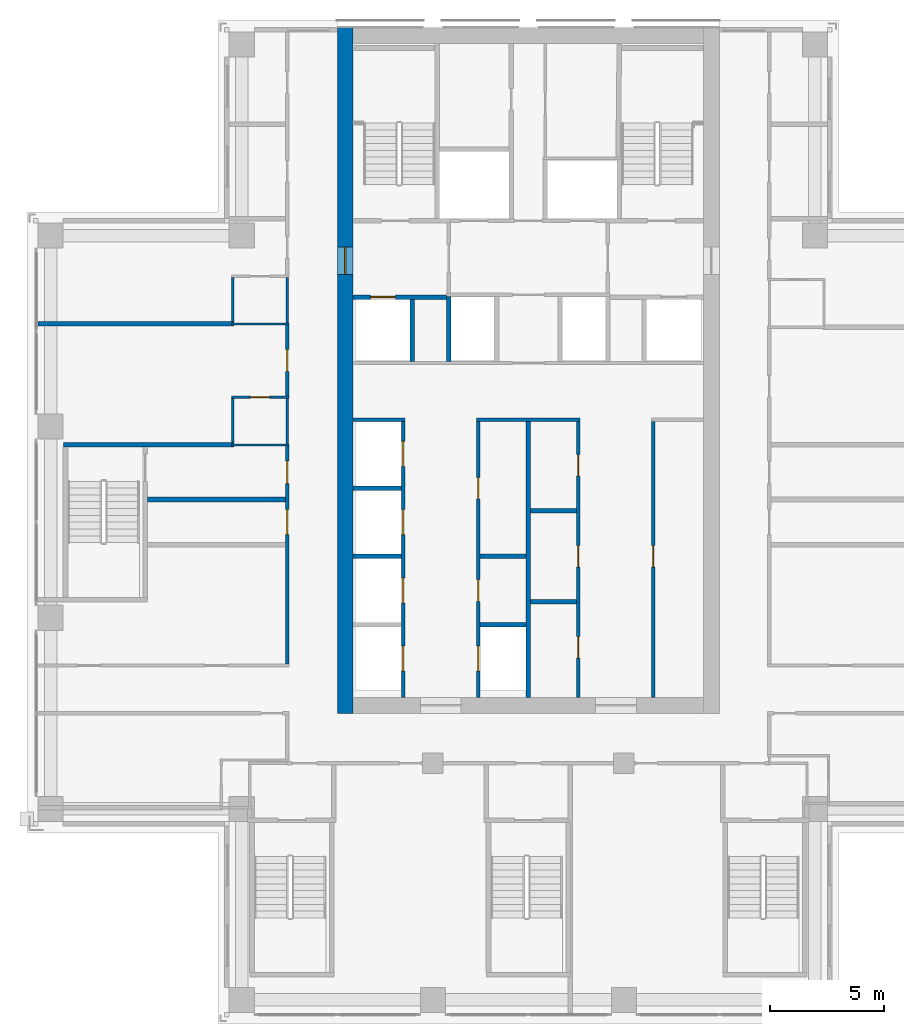
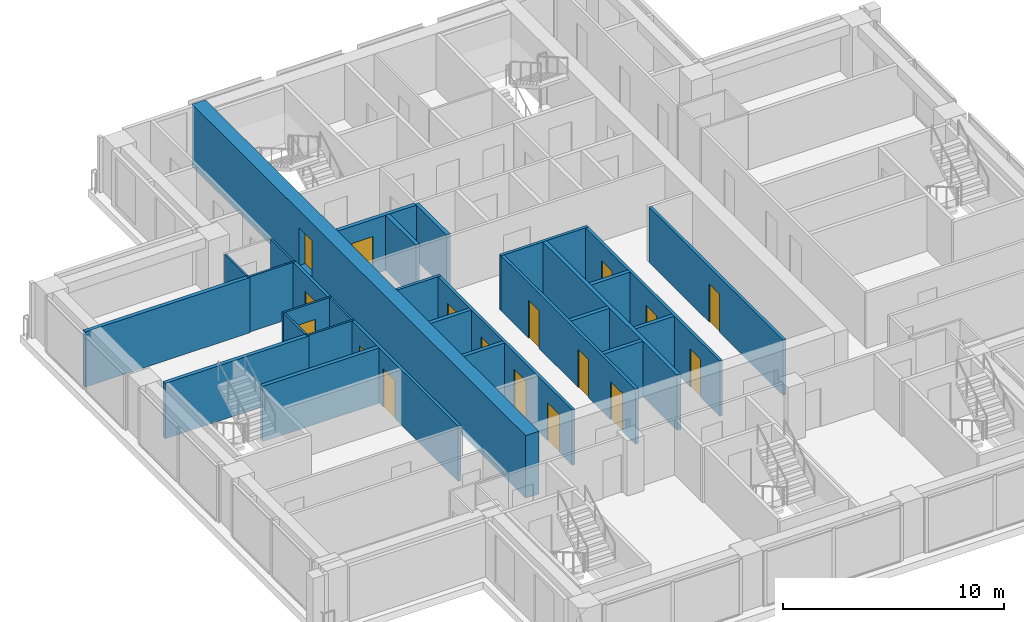
# One storey, part 10 of 16: 29 walls, 17 doors, 17 openings.
"""IFC4 building model written with IfcOpenShell, lengths in metres."""

from ifc_helpers import new_model, si_unit, direction, frame, frame_2d, origin, place, context, subcontext, project, spatial, rectangle, extrude, material, layer, layer_set, type_object, element, fill, save


model = new_model("IFC4")

# Units and contexts
model_context = context("Model", 3, precision=1e-05, world=origin(), true_north=direction((0.0, 1.0)))
body_context = subcontext(model_context, "Body", "Model", "MODEL_VIEW")
ifc_project = project(units=[si_unit("LENGTHUNIT", "METRE"), si_unit("AREAUNIT", "SQUARE_METRE"), si_unit("VOLUMEUNIT", "CUBIC_METRE"), si_unit("PLANEANGLEUNIT", "RADIAN"), si_unit("MASSUNIT", "GRAM", prefix="KILO")], contexts=[model_context])

# Site, building, storey
site_placement = place(None, origin())
site = spatial("IfcSite", under=ifc_project, at=site_placement, CompositionType="ELEMENT")
building_placement = place(site_placement, origin())
building = spatial("IfcBuilding", under=site, at=building_placement, Name="Vermilion Ogive Tower", CompositionType="ELEMENT")
storey_placement = place(building_placement, frame((0.0, 0.0, 160.699951171875)))
storey = spatial("IfcBuildingStorey", under=building, at=storey_placement, Name="L41", CompositionType="ELEMENT", Elevation=160.699951171875)

# Wall
ifc_material_1 = material(Name="Gypsum board partition on steel studs", Category="steel")
ifc_layer_1 = layer(ifc_material_1, 0.10009765625)
ifc_layer_set_1 = layer_set([ifc_layer_1], Name="Partition 100 bath")
wall_type_1 = type_object("IfcWallType", Name="Partition 100 bath", PredefinedType="PARTITIONING", material=ifc_layer_set_1)
wall_1_placement = place(storey_placement, frame((-13.050048828125, 3.39990234375, 0.0), z_axis=(0.0, 0.0, 1.0), x_axis=(1.0, 0.0, 0.0)))
element("IfcWall", 1, at=wall_1_placement, inside=storey, type_object=wall_type_1, Name="L41-W-W027", PredefinedType="PARTITIONING", context=body_context, shape_type="SweptSolid", body=[
    extrude(rectangle(XDim=2.525146484375, YDim=0.10009765625, at=frame_2d((1.2626953125, 0.0))), origin(), (0.0, 0.0, 1.0), 3.050048828125),
])

# Wall, opening, door
wall_2_placement = place(storey_placement, frame((-13.048095703125, 5.5, 0.0), z_axis=(0.0, 0.0, 1.0), x_axis=(1.0, 0.0, 0.0)))
wall_2 = element("IfcWall", 2, at=wall_2_placement, inside=storey, type_object=wall_type_1, Name="L41-W-W029", PredefinedType="PARTITIONING", context=body_context, shape_type="SweptSolid", body=[
    extrude(rectangle(XDim=2.523193359375, YDim=0.10009765625, at=frame_2d((1.26171875, 0.0))), origin(), (0.0, 0.0, 1.0), 3.050048828125),
])
opening_1_placement = place(wall_2_placement, frame((0.822998046875, 0.0, 0.0)))
opening_1 = element("IfcOpeningElement", 3, at=opening_1_placement, cuts=wall_2, Name="Opening D3G4004", PredefinedType="OPENING", context=body_context, shape_type="SweptSolid", body=[
    extrude(rectangle(XDim=0.85009765625, YDim=2.10009765625, at=frame_2d((0.425048828125, 1.050048828125))), frame((0.0, 0.06005859375, 0.0), z_axis=(0.0, -1.0, 0.0), x_axis=(1.0, 0.0, 0.0)), (0.0, 0.0, 1.0), 0.1201171875),
])
ifc_material_2 = material(Name="Timber door leaf", Category="wood")
door_type_1 = type_object("IfcDoorType", Name="Bath door 850 x 2100 FD30", OperationType="SINGLE_SWING_LEFT", PredefinedType="DOOR", material=ifc_material_2)
door_1_placement = place(opening_1_placement, origin())
door_1 = element("IfcDoor", 4, at=door_1_placement, inside=storey, type_object=door_type_1, Name="L41-D-D004", OperationType="SINGLE_SWING_RIGHT", OverallHeight=2.10009765625, OverallWidth=0.85009765625, PredefinedType="DOOR", context=body_context, shape_type="SweptSolid", body=[
    extrude(rectangle(XDim=0.85009765625, YDim=2.10009765625, at=frame_2d((0.425048828125, 1.050048828125))), frame((0.0, 0.02490234375, 0.0), z_axis=(0.0, -1.0, 0.0), x_axis=(1.0, 0.0, 0.0)), (0.0, 0.0, 1.0), 0.050048828125),
])
fill(opening_1, door_1)

# Walls
wall_3_placement = place(storey_placement, frame((-13.050048828125, 8.719970703125, 0.0), z_axis=(0.0, 0.0, 1.0), x_axis=(1.0, 0.0, 0.0)))
element("IfcWall", 5, at=wall_3_placement, inside=storey, type_object=wall_type_1, Name="L41-W-W033", PredefinedType="PARTITIONING", context=body_context, shape_type="SweptSolid", body=[
    extrude(rectangle(XDim=2.525146484375, YDim=0.10009765625, at=frame_2d((1.2626953125, 0.0))), origin(), (0.0, 0.0, 1.0), 3.050048828125),
])
wall_4_placement = place(storey_placement, frame((-13.0, 3.5, 0.0), z_axis=(0.0, 0.0, 1.0), x_axis=(0.0, 1.0, 0.0)))
element("IfcWall", 6, at=wall_4_placement, inside=storey, type_object=wall_type_1, Name="L41-W-W043", PredefinedType="PARTITIONING", context=body_context, shape_type="SweptSolid", body=[
    extrude(rectangle(XDim=1.947998046875, YDim=0.10009765625, at=frame_2d((0.97412109375, 0.0))), origin(), (0.0, 0.0, 1.0), 3.050048828125),
])
wall_5_placement = place(storey_placement, frame((-13.0, 8.820068359375, 0.0), z_axis=(0.0, 0.0, 1.0), x_axis=(0.0, 1.0, 0.0)))
element("IfcWall", 7, at=wall_5_placement, inside=storey, type_object=wall_type_1, Name="L41-W-W044", PredefinedType="PARTITIONING", context=body_context, shape_type="SweptSolid", body=[
    extrude(rectangle(XDim=1.949951171875, YDim=0.10009765625, at=frame_2d((0.97509765625, 0.0))), origin(), (0.0, 0.0, 1.0), 3.050048828125),
])
for number, where, z_axis, x_axis, name in (
    (8, (-10.60009765625, 3.449951171875, 0.0), (0.0, 0.0, 1.0), (0.0, 1.0, 0.0), "L41-W-W050"),
    (9, (-10.60009765625, 8.77001953125, 0.0), (0.0, 0.0, 1.0), (0.0, 1.0, 0.0), "L41-W-W052"),
):
    element("IfcWall", number, at=place(storey_placement, frame(where, z_axis=z_axis, x_axis=x_axis)), inside=storey, type_object=wall_type_1, Name=name, PredefinedType="PARTITIONING", context=body_context, shape_type="SweptSolid", body=[
        extrude(rectangle(XDim=2.0, YDim=0.10009765625, at=frame_2d((1.0, 0.0))), origin(), (0.0, 0.0, 1.0), 3.050048828125),
    ])

# Wall, openings, doors
ifc_material_3 = material(Name="Gypsum board partition on steel studs", Category="steel")
ifc_layer_2 = layer(ifc_material_3, 0.14990234375)
ifc_layer_set_2 = layer_set([ifc_layer_2], Name="Partition 150 corridor")
wall_type_2 = type_object("IfcWallType", Name="Partition 150 corridor", PredefinedType="PARTITIONING", material=ifc_layer_set_2)
wall_6_placement = place(storey_placement, frame((-10.60009765625, -6.22509765625, 0.0), z_axis=(0.0, 0.0, 1.0), x_axis=(0.0, 1.0, 0.0)))
wall_6 = element("IfcWall", 10, at=wall_6_placement, inside=storey, type_object=wall_type_2, Name="L41-W-W049", PredefinedType="PARTITIONING", context=body_context, shape_type="SweptSolid", body=[
    extrude(rectangle(XDim=9.5751953125, YDim=0.14990234375, at=frame_2d((4.78759765625, 0.0))), origin(), (0.0, 0.0, 1.0), 3.050048828125),
])
opening_2_placement = place(wall_6_placement, frame((5.675048828125, 0.0, 0.0)))
opening_2 = element("IfcOpeningElement", 11, at=opening_2_placement, cuts=wall_6, Name="Opening D3G4026", PredefinedType="OPENING", context=body_context, shape_type="SweptSolid", body=[
    extrude(rectangle(XDim=1.10009765625, YDim=2.10009765625, at=frame_2d((0.550048828125, 1.050048828125))), frame((0.0, 0.0849609375, 0.0), z_axis=(0.0, -1.0, 0.0), x_axis=(1.0, 0.0, 0.0)), (0.0, 0.0, 1.0), 0.169921875),
])
opening_3_placement = place(wall_6_placement, frame((7.925048828125, 0.0, 0.0)))
opening_3 = element("IfcOpeningElement", 12, at=opening_3_placement, cuts=wall_6, Name="Opening D3G4032", PredefinedType="OPENING", context=body_context, shape_type="SweptSolid", body=[
    extrude(rectangle(XDim=1.0, YDim=2.10009765625, at=frame_2d((0.5, 1.050048828125))), frame((0.0, 0.0849609375, 0.0), z_axis=(0.0, -1.0, 0.0), x_axis=(1.0, 0.0, 0.0)), (0.0, 0.0, 1.0), 0.169921875),
])
ifc_material_4 = material(Name="Timber door leaf", Category="wood")
door_type_2 = type_object("IfcDoorType", Name="Stair door 1100 x 2100 FD60S", OperationType="SINGLE_SWING_LEFT", PredefinedType="DOOR", material=ifc_material_4)
door_2_placement = place(opening_2_placement, origin())
door_2 = element("IfcDoor", 13, at=door_2_placement, inside=storey, type_object=door_type_2, Name="L41-D-D026", OperationType="SINGLE_SWING_RIGHT", OverallHeight=2.10009765625, OverallWidth=1.10009765625, PredefinedType="DOOR", context=body_context, shape_type="SweptSolid", body=[
    extrude(rectangle(XDim=1.10009765625, YDim=2.10009765625, at=frame_2d((0.550048828125, 1.050048828125))), frame((0.0, 0.02490234375, 0.0), z_axis=(0.0, -1.0, 0.0), x_axis=(1.0, 0.0, 0.0)), (0.0, 0.0, 1.0), 0.050048828125),
])
fill(opening_2, door_2)
ifc_material_5 = material(Name="Timber door leaf", Category="wood")
door_type_3 = type_object("IfcDoorType", Name="Unit door 1000 x 2100 FD30S", OperationType="SINGLE_SWING_LEFT", PredefinedType="DOOR", material=ifc_material_5)
door_3_placement = place(opening_3_placement, origin())
door_3 = element("IfcDoor", 14, at=door_3_placement, inside=storey, type_object=door_type_3, Name="L41-D-D032", OperationType="SINGLE_SWING_LEFT", OverallHeight=2.10009765625, OverallWidth=1.0, PredefinedType="DOOR", context=body_context, shape_type="SweptSolid", body=[
    extrude(rectangle(XDim=1.0, YDim=2.10009765625, at=frame_2d((0.5, 1.050048828125))), frame((0.0, 0.02490234375, 0.0), z_axis=(0.0, -1.0, 0.0), x_axis=(1.0, 0.0, 0.0)), (0.0, 0.0, 1.0), 0.050048828125),
])
fill(opening_3, door_3)

# Wall, opening, door
wall_7_placement = place(storey_placement, frame((-10.60009765625, 5.550048828125, 0.0), z_axis=(0.0, 0.0, 1.0), x_axis=(0.0, 1.0, 0.0)))
wall_7 = element("IfcWall", 15, at=wall_7_placement, inside=storey, type_object=wall_type_2, Name="L41-W-W051", PredefinedType="PARTITIONING", context=body_context, shape_type="SweptSolid", body=[
    extrude(rectangle(XDim=3.119873046875, YDim=0.14990234375, at=frame_2d((1.56005859375, 0.0))), origin(), (0.0, 0.0, 1.0), 3.050048828125),
])
opening_4_placement = place(wall_7_placement, frame((1.0849609375, 0.0, 0.0)))
opening_4 = element("IfcOpeningElement", 16, at=opening_4_placement, cuts=wall_7, Name="Opening D3G4003", PredefinedType="OPENING", context=body_context, shape_type="SweptSolid", body=[
    extrude(rectangle(XDim=0.949951171875, YDim=2.10009765625, at=frame_2d((0.47509765625, 1.050048828125))), frame((0.0, 0.0849609375, 0.0), z_axis=(0.0, -1.0, 0.0), x_axis=(1.0, 0.0, 0.0)), (0.0, 0.0, 1.0), 0.169921875),
])
ifc_material_6 = material(Name="Timber door leaf", Category="wood")
door_type_4 = type_object("IfcDoorType", Name="Unit door 950 x 2100 FD30S", OperationType="SINGLE_SWING_LEFT", PredefinedType="DOOR", material=ifc_material_6)
door_4_placement = place(opening_4_placement, origin())
door_4 = element("IfcDoor", 17, at=door_4_placement, inside=storey, type_object=door_type_4, Name="L41-D-D003", OperationType="SINGLE_SWING_LEFT", OverallHeight=2.10009765625, OverallWidth=0.949951171875, PredefinedType="DOOR", context=body_context, shape_type="SweptSolid", body=[
    extrude(rectangle(XDim=0.949951171875, YDim=2.10009765625, at=frame_2d((0.47509765625, 1.050048828125))), frame((0.0, 0.02490234375, 0.0), z_axis=(0.0, -1.0, 0.0), x_axis=(1.0, 0.0, 0.0)), (0.0, 0.0, 1.0), 0.050048828125),
])
fill(opening_4, door_4)

# Walls
wall_8_placement = place(storey_placement, frame((-7.698974609375, 4.5, 0.0), z_axis=(0.0, 0.0, 1.0), x_axis=(1.0, 0.0, 0.0)))
element("IfcWall", 18, at=wall_8_placement, inside=storey, type_object=wall_type_2, Name="L41-CK-W-W008", PredefinedType="PARTITIONING", context=body_context, shape_type="SweptSolid", body=[
    extrude(rectangle(XDim=2.27392578125, YDim=0.14990234375, at=frame_2d((1.136962890625, 0.0))), origin(), (0.0, 0.0, 1.0), 3.050048828125),
])
wall_9_placement = place(storey_placement, frame((-2.27490234375, 4.5, 0.0), z_axis=(0.0, 0.0, 1.0), x_axis=(1.0, 0.0, 0.0)))
element("IfcWall", 19, at=wall_9_placement, inside=storey, type_object=wall_type_2, Name="L41-CK-W-W009", PredefinedType="PARTITIONING", context=body_context, shape_type="SweptSolid", body=[
    extrude(rectangle(XDim=4.5498046875, YDim=0.14990234375, at=frame_2d((2.27490234375, 0.0))), origin(), (0.0, 0.0, 1.0), 3.050048828125),
])

# Wall, openings, doors
wall_10_placement = place(storey_placement, frame((-5.5, -7.698974609375, 0.0), z_axis=(0.0, 0.0, 1.0), x_axis=(0.0, 1.0, 0.0)))
wall_10 = element("IfcWall", 20, at=wall_10_placement, inside=storey, type_object=wall_type_2, Name="L41-CK-W-W020", PredefinedType="PARTITIONING", context=body_context, shape_type="SweptSolid", body=[
    extrude(rectangle(XDim=12.1240234375, YDim=0.14990234375, at=frame_2d((6.06201171875, 0.0))), origin(), (0.0, 0.0, 1.0), 3.050048828125),
])
opening_5_placement = place(wall_10_placement, frame((1.14892578125, 0.0, 0.0)))
opening_5 = element("IfcOpeningElement", 21, at=opening_5_placement, cuts=wall_10, Name="Opening DAA362", PredefinedType="OPENING", context=body_context, shape_type="SweptSolid", body=[
    extrude(rectangle(XDim=1.10009765625, YDim=2.10009765625, at=frame_2d((0.550048828125, 1.050048828125))), frame((0.0, 0.0849609375, 0.0), z_axis=(0.0, -1.0, 0.0), x_axis=(1.0, 0.0, 0.0)), (0.0, 0.0, 1.0), 0.169921875),
])
opening_6_placement = place(wall_10_placement, frame((4.14892578125, 0.0, 0.0)))
opening_6 = element("IfcOpeningElement", 22, at=opening_6_placement, cuts=wall_10, Name="Opening DAA363", PredefinedType="OPENING", context=body_context, shape_type="SweptSolid", body=[
    extrude(rectangle(XDim=1.10009765625, YDim=2.10009765625, at=frame_2d((0.550048828125, 1.050048828125))), frame((0.0, 0.0849609375, 0.0), z_axis=(0.0, -1.0, 0.0), x_axis=(1.0, 0.0, 0.0)), (0.0, 0.0, 1.0), 0.169921875),
])
opening_7_placement = place(wall_10_placement, frame((7.14892578125, 0.0, 0.0)))
opening_7 = element("IfcOpeningElement", 23, at=opening_7_placement, cuts=wall_10, Name="Opening DAA364", PredefinedType="OPENING", context=body_context, shape_type="SweptSolid", body=[
    extrude(rectangle(XDim=1.10009765625, YDim=2.10009765625, at=frame_2d((0.550048828125, 1.050048828125))), frame((0.0, 0.0849609375, 0.0), z_axis=(0.0, -1.0, 0.0), x_axis=(1.0, 0.0, 0.0)), (0.0, 0.0, 1.0), 0.169921875),
])
opening_8_placement = place(wall_10_placement, frame((10.14892578125, 0.0, 0.0)))
opening_8 = element("IfcOpeningElement", 24, at=opening_8_placement, cuts=wall_10, Name="Opening DAA365", PredefinedType="OPENING", context=body_context, shape_type="SweptSolid", body=[
    extrude(rectangle(XDim=1.10009765625, YDim=2.10009765625, at=frame_2d((0.550048828125, 1.050048828125))), frame((0.0, 0.0849609375, 0.0), z_axis=(0.0, -1.0, 0.0), x_axis=(1.0, 0.0, 0.0)), (0.0, 0.0, 1.0), 0.169921875),
])
ifc_material_7 = material(Name="Stainless steel", Category="steel")
door_type_5 = type_object("IfcDoorType", Name="Lift landing door 1100 x 2100", OperationType="SLIDING_TO_LEFT", PredefinedType="DOOR", material=ifc_material_7)
door_5_placement = place(opening_5_placement, origin())
door_5 = element("IfcDoor", 25, at=door_5_placement, inside=storey, type_object=door_type_5, Name="L41-CK-D-D001", OperationType="SLIDING_TO_LEFT", OverallHeight=2.10009765625, OverallWidth=1.10009765625, PredefinedType="DOOR", context=body_context, shape_type="SweptSolid", body=[
    extrude(rectangle(XDim=1.10009765625, YDim=2.10009765625, at=frame_2d((0.550048828125, 1.050048828125))), frame((0.0, 0.02490234375, 0.0), z_axis=(0.0, -1.0, 0.0), x_axis=(1.0, 0.0, 0.0)), (0.0, 0.0, 1.0), 0.050048828125),
])
fill(opening_5, door_5)
door_6_placement = place(opening_6_placement, origin())
door_6 = element("IfcDoor", 26, at=door_6_placement, inside=storey, type_object=door_type_5, Name="L41-CK-D-D002", OperationType="SLIDING_TO_LEFT", OverallHeight=2.10009765625, OverallWidth=1.10009765625, PredefinedType="DOOR", context=body_context, shape_type="SweptSolid", body=[
    extrude(rectangle(XDim=1.10009765625, YDim=2.10009765625, at=frame_2d((0.550048828125, 1.050048828125))), frame((0.0, 0.02490234375, 0.0), z_axis=(0.0, -1.0, 0.0), x_axis=(1.0, 0.0, 0.0)), (0.0, 0.0, 1.0), 0.050048828125),
])
fill(opening_6, door_6)
door_7_placement = place(opening_7_placement, origin())
door_7 = element("IfcDoor", 27, at=door_7_placement, inside=storey, type_object=door_type_5, Name="L41-CK-D-D003", OperationType="SLIDING_TO_LEFT", OverallHeight=2.10009765625, OverallWidth=1.10009765625, PredefinedType="DOOR", context=body_context, shape_type="SweptSolid", body=[
    extrude(rectangle(XDim=1.10009765625, YDim=2.10009765625, at=frame_2d((0.550048828125, 1.050048828125))), frame((0.0, 0.02490234375, 0.0), z_axis=(0.0, -1.0, 0.0), x_axis=(1.0, 0.0, 0.0)), (0.0, 0.0, 1.0), 0.050048828125),
])
fill(opening_7, door_7)
door_8_placement = place(opening_8_placement, origin())
door_8 = element("IfcDoor", 28, at=door_8_placement, inside=storey, type_object=door_type_5, Name="L41-CK-D-D004", OperationType="SLIDING_TO_LEFT", OverallHeight=2.10009765625, OverallWidth=1.10009765625, PredefinedType="DOOR", context=body_context, shape_type="SweptSolid", body=[
    extrude(rectangle(XDim=1.10009765625, YDim=2.10009765625, at=frame_2d((0.550048828125, 1.050048828125))), frame((0.0, 0.02490234375, 0.0), z_axis=(0.0, -1.0, 0.0), x_axis=(1.0, 0.0, 0.0)), (0.0, 0.0, 1.0), 0.050048828125),
])
fill(opening_8, door_8)

wall_11_placement = place(storey_placement, frame((-2.199951171875, -7.698974609375, 0.0), z_axis=(0.0, 0.0, 1.0), x_axis=(0.0, 1.0, 0.0)))
wall_11 = element("IfcWall", 29, at=wall_11_placement, inside=storey, type_object=wall_type_2, Name="L41-CK-W-W025", PredefinedType="PARTITIONING", context=body_context, shape_type="SweptSolid", body=[
    extrude(rectangle(XDim=12.1240234375, YDim=0.14990234375, at=frame_2d((6.06201171875, 0.0))), origin(), (0.0, 0.0, 1.0), 3.050048828125),
])
opening_9_placement = place(wall_11_placement, frame((1.14892578125, 0.0, 0.0)))
opening_9 = element("IfcOpeningElement", 30, at=opening_9_placement, cuts=wall_11, Name="Opening DAA366", PredefinedType="OPENING", context=body_context, shape_type="SweptSolid", body=[
    extrude(rectangle(XDim=1.10009765625, YDim=2.10009765625, at=frame_2d((0.550048828125, 1.050048828125))), frame((0.0, 0.0849609375, 0.0), z_axis=(0.0, -1.0, 0.0), x_axis=(1.0, 0.0, 0.0)), (0.0, 0.0, 1.0), 0.169921875),
])
opening_10_placement = place(wall_11_placement, frame((4.223876953125, 0.0, 0.0)))
opening_10 = element("IfcOpeningElement", 31, at=opening_10_placement, cuts=wall_11, Name="Opening DAA352", PredefinedType="OPENING", context=body_context, shape_type="SweptSolid", body=[
    extrude(rectangle(XDim=0.949951171875, YDim=2.10009765625, at=frame_2d((0.47509765625, 1.050048828125))), frame((0.0, 0.0849609375, 0.0), z_axis=(0.0, -1.0, 0.0), x_axis=(1.0, 0.0, 0.0)), (0.0, 0.0, 1.0), 0.169921875),
])
opening_11_placement = place(wall_11_placement, frame((8.723876953125, 0.0, 0.0)))
opening_11 = element("IfcOpeningElement", 32, at=opening_11_placement, cuts=wall_11, Name="Opening DAA353", PredefinedType="OPENING", context=body_context, shape_type="SweptSolid", body=[
    extrude(rectangle(XDim=0.949951171875, YDim=2.10009765625, at=frame_2d((0.47509765625, 1.050048828125))), frame((0.0, 0.0849609375, 0.0), z_axis=(0.0, -1.0, 0.0), x_axis=(1.0, 0.0, 0.0)), (0.0, 0.0, 1.0), 0.169921875),
])
door_9_placement = place(opening_9_placement, origin())
door_9 = element("IfcDoor", 33, at=door_9_placement, inside=storey, type_object=door_type_5, Name="L41-CK-D-D005", OperationType="SLIDING_TO_LEFT", OverallHeight=2.10009765625, OverallWidth=1.10009765625, PredefinedType="DOOR", context=body_context, shape_type="SweptSolid", body=[
    extrude(rectangle(XDim=1.10009765625, YDim=2.10009765625, at=frame_2d((0.550048828125, 1.050048828125))), frame((0.0, 0.02490234375, 0.0), z_axis=(0.0, -1.0, 0.0), x_axis=(1.0, 0.0, 0.0)), (0.0, 0.0, 1.0), 0.050048828125),
])
fill(opening_9, door_9)
ifc_material_8 = material(Name="Timber door leaf", Category="wood")
door_type_6 = type_object("IfcDoorType", Name="Service door 950 x 2100 FD60", OperationType="SINGLE_SWING_LEFT", PredefinedType="DOOR", material=ifc_material_8)
door_10_placement = place(opening_10_placement, origin())
door_10 = element("IfcDoor", 34, at=door_10_placement, inside=storey, type_object=door_type_6, Name="L41-CK-D-D006", OperationType="SINGLE_SWING_RIGHT", OverallHeight=2.10009765625, OverallWidth=0.949951171875, PredefinedType="DOOR", context=body_context, shape_type="SweptSolid", body=[
    extrude(rectangle(XDim=0.949951171875, YDim=2.10009765625, at=frame_2d((0.47509765625, 1.050048828125))), frame((0.0, 0.02490234375, 0.0), z_axis=(0.0, -1.0, 0.0), x_axis=(1.0, 0.0, 0.0)), (0.0, 0.0, 1.0), 0.050048828125),
])
fill(opening_10, door_10)
door_11_placement = place(opening_11_placement, origin())
door_11 = element("IfcDoor", 35, at=door_11_placement, inside=storey, type_object=door_type_6, Name="L41-CK-D-D007", OperationType="SINGLE_SWING_LEFT", OverallHeight=2.10009765625, OverallWidth=0.949951171875, PredefinedType="DOOR", context=body_context, shape_type="SweptSolid", body=[
    extrude(rectangle(XDim=0.949951171875, YDim=2.10009765625, at=frame_2d((0.47509765625, 1.050048828125))), frame((0.0, 0.02490234375, 0.0), z_axis=(0.0, -1.0, 0.0), x_axis=(1.0, 0.0, 0.0)), (0.0, 0.0, 1.0), 0.050048828125),
])
fill(opening_11, door_11)

wall_12_placement = place(storey_placement, frame((2.199951171875, -7.698974609375, 0.0), z_axis=(0.0, 0.0, 1.0), x_axis=(0.0, 1.0, 0.0)))
wall_12 = element("IfcWall", 36, at=wall_12_placement, inside=storey, type_object=wall_type_2, Name="L41-CK-W-W032", PredefinedType="PARTITIONING", context=body_context, shape_type="SweptSolid", body=[
    extrude(rectangle(XDim=12.1240234375, YDim=0.14990234375, at=frame_2d((6.06201171875, 0.0))), origin(), (0.0, 0.0, 1.0), 3.050048828125),
])
opening_12_placement = place(wall_12_placement, frame((1.723876953125, 0.0, 0.0)))
opening_12 = element("IfcOpeningElement", 37, at=opening_12_placement, cuts=wall_12, Name="Opening DAA354", PredefinedType="OPENING", context=body_context, shape_type="SweptSolid", body=[
    extrude(rectangle(XDim=0.949951171875, YDim=2.10009765625, at=frame_2d((0.47509765625, 1.050048828125))), frame((0.0, 0.0849609375, 0.0), z_axis=(0.0, -1.0, 0.0), x_axis=(1.0, 0.0, 0.0)), (0.0, 0.0, 1.0), 0.169921875),
])
opening_13_placement = place(wall_12_placement, frame((5.723876953125, 0.0, 0.0)))
opening_13 = element("IfcOpeningElement", 38, at=opening_13_placement, cuts=wall_12, Name="Opening DAA355", PredefinedType="OPENING", context=body_context, shape_type="SweptSolid", body=[
    extrude(rectangle(XDim=0.949951171875, YDim=2.10009765625, at=frame_2d((0.47509765625, 1.050048828125))), frame((0.0, 0.0849609375, 0.0), z_axis=(0.0, -1.0, 0.0), x_axis=(1.0, 0.0, 0.0)), (0.0, 0.0, 1.0), 0.169921875),
])
opening_14_placement = place(wall_12_placement, frame((9.723876953125, 0.0, 0.0)))
opening_14 = element("IfcOpeningElement", 39, at=opening_14_placement, cuts=wall_12, Name="Opening DAA356", PredefinedType="OPENING", context=body_context, shape_type="SweptSolid", body=[
    extrude(rectangle(XDim=0.949951171875, YDim=2.10009765625, at=frame_2d((0.47509765625, 1.050048828125))), frame((0.0, 0.0849609375, 0.0), z_axis=(0.0, -1.0, 0.0), x_axis=(1.0, 0.0, 0.0)), (0.0, 0.0, 1.0), 0.169921875),
])
door_12_placement = place(opening_12_placement, origin())
door_12 = element("IfcDoor", 40, at=door_12_placement, inside=storey, type_object=door_type_6, Name="L41-CK-D-D008", OperationType="SINGLE_SWING_RIGHT", OverallHeight=2.10009765625, OverallWidth=0.949951171875, PredefinedType="DOOR", context=body_context, shape_type="SweptSolid", body=[
    extrude(rectangle(XDim=0.949951171875, YDim=2.10009765625, at=frame_2d((0.47509765625, 1.050048828125))), frame((0.0, 0.02490234375, 0.0), z_axis=(0.0, -1.0, 0.0), x_axis=(1.0, 0.0, 0.0)), (0.0, 0.0, 1.0), 0.050048828125),
])
fill(opening_12, door_12)
door_13_placement = place(opening_13_placement, origin())
door_13 = element("IfcDoor", 41, at=door_13_placement, inside=storey, type_object=door_type_6, Name="L41-CK-D-D009", OperationType="SINGLE_SWING_RIGHT", OverallHeight=2.10009765625, OverallWidth=0.949951171875, PredefinedType="DOOR", context=body_context, shape_type="SweptSolid", body=[
    extrude(rectangle(XDim=0.949951171875, YDim=2.10009765625, at=frame_2d((0.47509765625, 1.050048828125))), frame((0.0, 0.02490234375, 0.0), z_axis=(0.0, -1.0, 0.0), x_axis=(1.0, 0.0, 0.0)), (0.0, 0.0, 1.0), 0.050048828125),
])
fill(opening_13, door_13)
door_14_placement = place(opening_14_placement, origin())
door_14 = element("IfcDoor", 42, at=door_14_placement, inside=storey, type_object=door_type_6, Name="L41-CK-D-D010", OperationType="SINGLE_SWING_LEFT", OverallHeight=2.10009765625, OverallWidth=0.949951171875, PredefinedType="DOOR", context=body_context, shape_type="SweptSolid", body=[
    extrude(rectangle(XDim=0.949951171875, YDim=2.10009765625, at=frame_2d((0.47509765625, 1.050048828125))), frame((0.0, 0.02490234375, 0.0), z_axis=(0.0, -1.0, 0.0), x_axis=(1.0, 0.0, 0.0)), (0.0, 0.0, 1.0), 0.050048828125),
])
fill(opening_14, door_14)

# Wall, opening, door
wall_13_placement = place(storey_placement, frame((5.5, -7.698974609375, 0.0), z_axis=(0.0, 0.0, 1.0), x_axis=(0.0, 1.0, 0.0)))
wall_13 = element("IfcWall", 43, at=wall_13_placement, inside=storey, type_object=wall_type_2, Name="L41-CK-W-W038", PredefinedType="PARTITIONING", context=body_context, shape_type="SweptSolid", body=[
    extrude(rectangle(XDim=12.1240234375, YDim=0.14990234375, at=frame_2d((6.06201171875, 0.0))), origin(), (0.0, 0.0, 1.0), 3.050048828125),
])
opening_15_placement = place(wall_13_placement, frame((5.723876953125, 0.0, 0.0)))
opening_15 = element("IfcOpeningElement", 44, at=opening_15_placement, cuts=wall_13, Name="Opening DAA357", PredefinedType="OPENING", context=body_context, shape_type="SweptSolid", body=[
    extrude(rectangle(XDim=0.949951171875, YDim=2.10009765625, at=frame_2d((0.47509765625, 1.050048828125))), frame((0.0, 0.0849609375, 0.0), z_axis=(0.0, -1.0, 0.0), x_axis=(1.0, 0.0, 0.0)), (0.0, 0.0, 1.0), 0.169921875),
])
door_15_placement = place(opening_15_placement, origin())
door_15 = element("IfcDoor", 45, at=door_15_placement, inside=storey, type_object=door_type_6, Name="L41-CK-D-D011", OperationType="SINGLE_SWING_LEFT", OverallHeight=2.10009765625, OverallWidth=0.949951171875, PredefinedType="DOOR", context=body_context, shape_type="SweptSolid", body=[
    extrude(rectangle(XDim=0.949951171875, YDim=2.10009765625, at=frame_2d((0.47509765625, 1.050048828125))), frame((0.0, 0.02490234375, 0.0), z_axis=(0.0, -1.0, 0.0), x_axis=(1.0, 0.0, 0.0)), (0.0, 0.0, 1.0), 0.050048828125),
])
fill(opening_15, door_15)

# Walls
ifc_material_9 = material(Name="Gypsum board partition on steel studs", Category="steel")
ifc_layer_3 = layer(ifc_material_9, 0.199951171875)
ifc_layer_set_3 = layer_set([ifc_layer_3], Name="Partition 200 party")
wall_type_3 = type_object("IfcWallType", Name="Partition 200 party", PredefinedType="PARTITIONING", material=ifc_layer_set_3)
wall_14_placement = place(storey_placement, frame((-16.75, 1.0, 0.0), z_axis=(0.0, 0.0, 1.0), x_axis=(1.0, 0.0, 0.0)))
element("IfcWall", 46, at=wall_14_placement, inside=storey, type_object=wall_type_3, Name="L41-W-W024", PredefinedType="PARTITIONING", context=body_context, shape_type="SweptSolid", body=[
    extrude(rectangle(XDim=6.074951171875, YDim=0.199951171875, at=frame_2d((3.03759765625, 0.0))), origin(), (0.0, 0.0, 1.0), 3.050048828125),
])
wall_15_placement = place(storey_placement, frame((-21.550048828125, 8.719970703125, 0.0), z_axis=(0.0, 0.0, 1.0), x_axis=(1.0, 0.0, 0.0)))
element("IfcWall", 47, at=wall_15_placement, inside=storey, type_object=wall_type_3, Name="L41-W-W032", PredefinedType="PARTITIONING", context=body_context, shape_type="SweptSolid", body=[
    extrude(rectangle(XDim=8.60009765625, YDim=0.199951171875, at=frame_2d((4.300048828125, 0.0))), origin(), (0.0, 0.0, 1.0), 3.050048828125),
])
for number, where, z_axis, x_axis, name in (
    (48, (-2.125, -4.5, 0.0), (0.0, 0.0, 1.0), (1.0, 0.0, 0.0), "L41-CK-W-W002"),
    (49, (0.10009765625, -3.5, 0.0), (0.0, 0.0, 1.0), (1.0, 0.0, 0.0), "L41-CK-W-W003"),
):
    element("IfcWall", number, at=place(storey_placement, frame(where, z_axis=z_axis, x_axis=x_axis)), inside=storey, type_object=wall_type_3, Name=name, PredefinedType="PARTITIONING", context=body_context, shape_type="SweptSolid", body=[
        extrude(rectangle(XDim=2.02490234375, YDim=0.199951171875, at=frame_2d((1.012451171875, 0.0))), origin(), (0.0, 0.0, 1.0), 3.050048828125),
    ])
wall_16_placement = place(storey_placement, frame((-7.698974609375, -1.5, 0.0), z_axis=(0.0, 0.0, 1.0), x_axis=(1.0, 0.0, 0.0)))
element("IfcWall", 50, at=wall_16_placement, inside=storey, type_object=wall_type_3, Name="L41-CK-W-W004", PredefinedType="PARTITIONING", context=body_context, shape_type="SweptSolid", body=[
    extrude(rectangle(XDim=2.1240234375, YDim=0.199951171875, at=frame_2d((1.06201171875, 0.0))), origin(), (0.0, 0.0, 1.0), 3.050048828125),
])
for number, where, z_axis, x_axis, name in (
    (51, (-2.125, -1.5, 0.0), (0.0, 0.0, 1.0), (1.0, 0.0, 0.0), "L41-CK-W-W005"),
    (52, (0.10009765625, 0.5, 0.0), (0.0, 0.0, 1.0), (1.0, 0.0, 0.0), "L41-CK-W-W006"),
):
    element("IfcWall", number, at=place(storey_placement, frame(where, z_axis=z_axis, x_axis=x_axis)), inside=storey, type_object=wall_type_3, Name=name, PredefinedType="PARTITIONING", context=body_context, shape_type="SweptSolid", body=[
        extrude(rectangle(XDim=2.02490234375, YDim=0.199951171875, at=frame_2d((1.012451171875, 0.0))), origin(), (0.0, 0.0, 1.0), 3.050048828125),
    ])
wall_17_placement = place(storey_placement, frame((-7.698974609375, 1.5, 0.0), z_axis=(0.0, 0.0, 1.0), x_axis=(1.0, 0.0, 0.0)))
element("IfcWall", 53, at=wall_17_placement, inside=storey, type_object=wall_type_3, Name="L41-CK-W-W007", PredefinedType="PARTITIONING", context=body_context, shape_type="SweptSolid", body=[
    extrude(rectangle(XDim=2.1240234375, YDim=0.199951171875, at=frame_2d((1.06201171875, 0.0))), origin(), (0.0, 0.0, 1.0), 3.050048828125),
])

# Wall, opening, door
wall_18_placement = place(storey_placement, frame((-7.698974609375, 9.89990234375, 0.0), z_axis=(0.0, 0.0, 1.0), x_axis=(1.0, 0.0, 0.0)))
wall_18 = element("IfcWall", 54, at=wall_18_placement, inside=storey, type_object=wall_type_3, Name="L41-CK-W-W012", PredefinedType="PARTITIONING", context=body_context, shape_type="SweptSolid", body=[
    extrude(rectangle(XDim=4.098876953125, YDim=0.199951171875, at=frame_2d((2.04931640625, 0.0))), origin(), (0.0, 0.0, 1.0), 3.050048828125),
])
opening_16_placement = place(wall_18_placement, frame((0.7490234375, 0.0, 0.0)))
opening_16 = element("IfcOpeningElement", 55, at=opening_16_placement, cuts=wall_18, Name="Opening DAA367", PredefinedType="OPENING", context=body_context, shape_type="SweptSolid", body=[
    extrude(rectangle(XDim=1.10009765625, YDim=2.10009765625, at=frame_2d((0.550048828125, 1.050048828125))), frame((0.0, 0.10986328125, 0.0), z_axis=(0.0, -1.0, 0.0), x_axis=(1.0, 0.0, 0.0)), (0.0, 0.0, 1.0), 0.219970703125),
])
door_16_placement = place(opening_16_placement, origin())
door_16 = element("IfcDoor", 56, at=door_16_placement, inside=storey, type_object=door_type_5, Name="L41-CK-D-D013", OperationType="SLIDING_TO_RIGHT", OverallHeight=2.10009765625, OverallWidth=1.10009765625, PredefinedType="DOOR", context=body_context, shape_type="SweptSolid", body=[
    extrude(rectangle(XDim=1.10009765625, YDim=2.10009765625, at=frame_2d((0.550048828125, 1.050048828125))), frame((0.0, 0.02490234375, 0.0), z_axis=(0.0, -1.0, 0.0), x_axis=(1.0, 0.0, 0.0)), (0.0, 0.0, 1.0), 0.050048828125),
])
fill(opening_16, door_16)

# Walls
wall_19_placement = place(storey_placement, frame((-5.10009765625, 7.074951171875, 0.0), z_axis=(0.0, 0.0, 1.0), x_axis=(0.0, 1.0, 0.0)))
element("IfcWall", 57, at=wall_19_placement, inside=storey, type_object=wall_type_3, Name="L41-CK-W-W021", PredefinedType="PARTITIONING", context=body_context, shape_type="SweptSolid", body=[
    extrude(rectangle(XDim=2.72509765625, YDim=0.199951171875, at=frame_2d((1.362548828125, 0.0))), origin(), (0.0, 0.0, 1.0), 3.050048828125),
])
wall_20_placement = place(storey_placement, frame((-3.5, 7.074951171875, 0.0), z_axis=(0.0, 0.0, 1.0), x_axis=(0.0, 1.0, 0.0)))
element("IfcWall", 58, at=wall_20_placement, inside=storey, type_object=wall_type_3, Name="L41-CK-W-W023", PredefinedType="PARTITIONING", context=body_context, shape_type="SweptSolid", body=[
    extrude(rectangle(XDim=2.85009765625, YDim=0.199951171875, at=frame_2d((1.425048828125, 0.0))), origin(), (0.0, 0.0, 1.0), 3.050048828125),
])
wall_21_placement = place(storey_placement, frame((0.0, -7.698974609375, 0.0), z_axis=(0.0, 0.0, 1.0), x_axis=(0.0, 1.0, 0.0)))
element("IfcWall", 59, at=wall_21_placement, inside=storey, type_object=wall_type_3, Name="L41-CK-W-W028", PredefinedType="PARTITIONING", context=body_context, shape_type="SweptSolid", body=[
    extrude(rectangle(XDim=12.1240234375, YDim=0.199951171875, at=frame_2d((6.06201171875, 0.0))), origin(), (0.0, 0.0, 1.0), 3.050048828125),
])

# Wall, opening, door
ifc_material_10 = material(Name="Concrete B60", Category="concrete")
ifc_layer_4 = layer(ifc_material_10, 0.199951171875)
ifc_layer_set_4 = layer_set([ifc_layer_4], Name="Stair shaft wall 200 Concrete B60")
wall_type_4 = type_object("IfcWallType", Name="Stair shaft wall 200 Concrete B60", PredefinedType="SOLIDWALL", material=ifc_layer_set_4)
wall_22_placement = place(storey_placement, frame((-8.050048828125, -8.39990234375, -0.39990234375), z_axis=(0.0, 0.0, 1.0), x_axis=(0.0, 1.0, 0.0)))
wall_22 = element("IfcWall", 60, at=wall_22_placement, inside=storey, type_object=wall_type_4, Name="L41-CORE-W", PredefinedType="SOLIDWALL", context=body_context, shape_type="SweptSolid", body=[
    extrude(rectangle(XDim=30.14990234375, YDim=0.699951171875, at=frame_2d((15.074951171875, 0.0))), origin(), (0.0, 0.0, 1.0), 3.449951171875),
])
opening_17_placement = place(wall_22_placement, frame((19.300048828125, 0.0, 0.39990234375)))
opening_17 = element("IfcOpeningElement", 61, at=opening_17_placement, cuts=wall_22, Name="Opening DAM016", PredefinedType="OPENING", context=body_context, shape_type="SweptSolid", body=[
    extrude(rectangle(XDim=1.199951171875, YDim=2.10009765625, at=frame_2d((0.60009765625, 1.050048828125))), frame((0.0, 0.35986328125, 0.0), z_axis=(0.0, -1.0, 0.0), x_axis=(1.0, 0.0, 0.0)), (0.0, 0.0, 1.0), 0.719970703125),
])
ifc_material_11 = material(Name="Timber door leaf", Category="wood")
door_type_7 = type_object("IfcDoorType", Name="Link door 1200 x 2100 FD60S", OperationType="SINGLE_SWING_LEFT", PredefinedType="DOOR", material=ifc_material_11)
door_17_placement = place(opening_17_placement, origin())
door_17 = element("IfcDoor", 62, at=door_17_placement, inside=storey, type_object=door_type_7, Name="L41-CK-XD3", OperationType="SINGLE_SWING_LEFT", OverallHeight=2.10009765625, OverallWidth=1.199951171875, PredefinedType="DOOR", context=body_context, shape_type="SweptSolid", body=[
    extrude(rectangle(XDim=1.199951171875, YDim=2.10009765625, at=frame_2d((0.60009765625, 1.050048828125))), frame((0.0, 0.02490234375, 0.0), z_axis=(0.0, -1.0, 0.0), x_axis=(1.0, 0.0, 0.0)), (0.0, 0.0, 1.0), 0.050048828125),
])
fill(opening_17, door_17)

# Wall
wall_23_placement = place(storey_placement, frame((-20.447998046875, 3.39990234375, 0.0), z_axis=(0.0, 0.0, 1.0), x_axis=(1.0, 0.0, 0.0)))
element("IfcWall", 63, at=wall_23_placement, inside=storey, type_object=wall_type_4, Name="L41-W-W026", PredefinedType="SOLIDWALL", context=body_context, shape_type="SweptSolid", body=[
    extrude(rectangle(XDim=7.498046875, YDim=0.199951171875, at=frame_2d((3.7490234375, 0.0))), origin(), (0.0, 0.0, 1.0), 3.050048828125),
])

save(model, "model.ifc")
